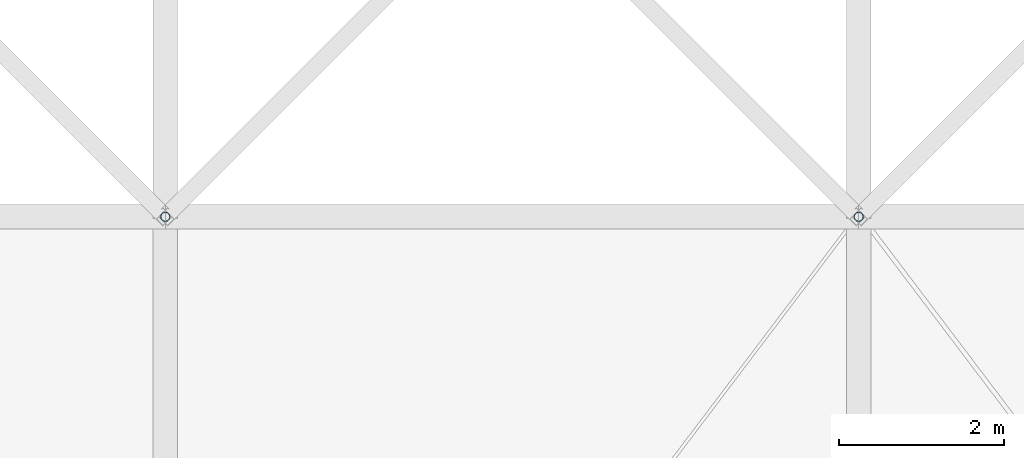
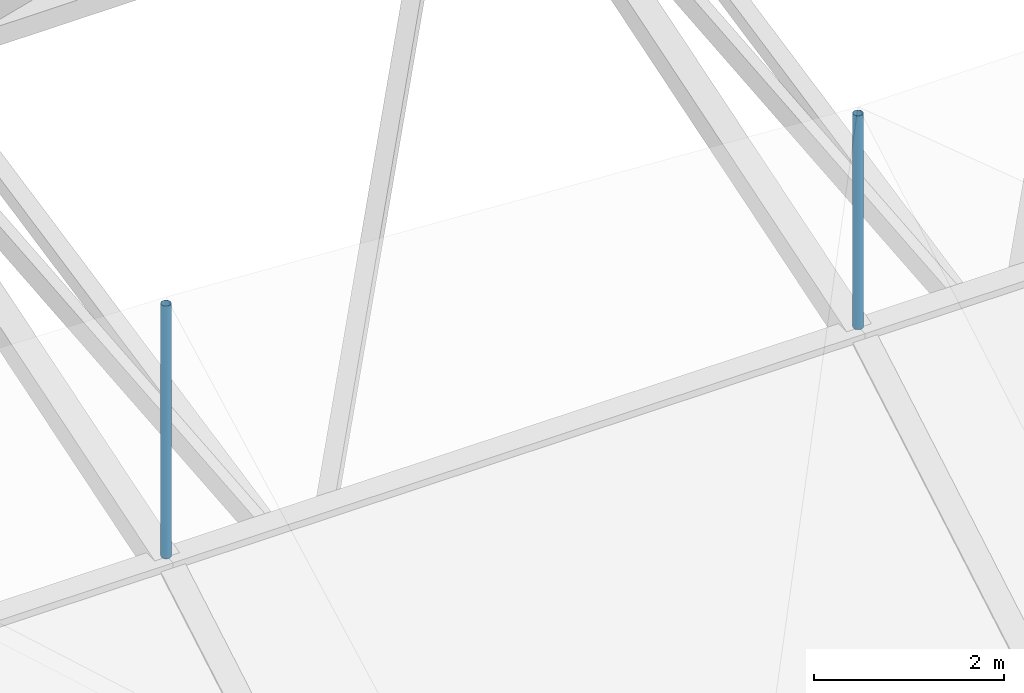
# One storey, part 44 of 111: 2 discrete accessories.
"""IFC4 building model written with IfcOpenShell, lengths in metres."""

import ifcopenshell
import ifcopenshell.guid

model = None  # the IFC model being written
_history = None  # IfcOwnerHistory: only IFC2X3 demands one
_inside = {}  # id of a spatial element -> (the spatial element, [elements in it])
_under = {}  # id of a project, library or spatial element -> (it, [spatial elements below it])
_declared = {}  # id of a project -> (the project, [libraries it declares])
_typed = {}  # id of a type object -> (the type object, [elements of that type])
_made_of = {}  # id of a material, layer set ... -> (it, [elements and type objects made of it])


def new_model(schema):
    """Start an empty IFC model of exactly this schema.

    Asked for "IFC4X3", IfcOpenShell would pick the latest addendum, in which some entities
    have other attributes; the version numbers below select the first issue.
    IFC2X3 requires an IfcOwnerHistory on every rooted entity: one is made here for all.
    """
    global model, _history
    if schema == "IFC4X3":
        model = ifcopenshell.file(schema_version=(4, 3, 0, 0))
    else:
        model = ifcopenshell.file(schema=schema)
    _inside.clear()
    _under.clear()
    _declared.clear()
    _typed.clear()
    _made_of.clear()
    _history = None
    if model.schema == "IFC2X3":
        org = make("IfcOrganization", Name="unknown")
        user = make(
            "IfcPersonAndOrganization",
            ThePerson=make("IfcPerson", FamilyName="unknown"),
            TheOrganization=org,
        )
        app = make(
            "IfcApplication",
            ApplicationDeveloper=org,
            Version="unknown",
            ApplicationFullName="unknown",
            ApplicationIdentifier="unknown",
        )
        _history = make(
            "IfcOwnerHistory",
            OwningUser=user,
            OwningApplication=app,
            ChangeAction="ADDED",
            CreationDate=0,
        )
    return model


def make(cls, **values):
    """One entity of the class cls with the attributes given. An attribute that is None is left unset."""
    return model.create_entity(
        cls, **{name: value for name, value in values.items() if value is not None}
    )


def rooted(cls, **values):
    """An entity with a GlobalId (a new one), such as an element, a storey or a relation."""
    return make(cls, GlobalId=ifcopenshell.guid.new(), OwnerHistory=_history, **values)


def si_unit(unit_type, name, prefix=None):
    """IfcSIUnit, for example si_unit("LENGTHUNIT", "METRE", prefix="MILLI")."""
    return make("IfcSIUnit", UnitType=unit_type, Prefix=prefix, Name=name)


def assignment(units):
    """IfcUnitAssignment: the units of a project."""
    return None if units is None else make("IfcUnitAssignment", Units=units)


def point(xyz):
    """IfcCartesianPoint."""
    return None if xyz is None else make("IfcCartesianPoint", Coordinates=xyz)


def direction(xyz):
    """IfcDirection."""
    return None if xyz is None else make("IfcDirection", DirectionRatios=xyz)


def frame(location, z_axis=None, x_axis=None):
    """IfcAxis2Placement3D, a coordinate frame: its origin and axes. An axis left out is left unset."""
    return make(
        "IfcAxis2Placement3D",
        Location=point(location),
        Axis=direction(z_axis),
        RefDirection=direction(x_axis),
    )


def frame_2d(location, x_axis=None):
    """IfcAxis2Placement2D, a coordinate frame in the plane: its origin and x axis."""
    return make(
        "IfcAxis2Placement2D", Location=point(location), RefDirection=direction(x_axis)
    )


def origin():
    """The frame at (0, 0, 0) with its axes left unset."""
    return frame((0.0, 0.0, 0.0))


def origin_2d():
    """The frame at (0, 0) in the plane with its x axis left unset."""
    return frame_2d((0.0, 0.0))


def place(relative_to, where):
    """IfcLocalPlacement: puts the frame where relative to a parent placement (None: the world)."""
    return make(
        "IfcLocalPlacement", PlacementRelTo=relative_to, RelativePlacement=where
    )


def context(
    kind, dimensions, precision=None, world=None, true_north=None, identifier=None
):
    """IfcGeometricRepresentationContext, for example the 3D "Model" context."""
    return make(
        "IfcGeometricRepresentationContext",
        ContextIdentifier=identifier,
        ContextType=kind,
        CoordinateSpaceDimension=dimensions,
        Precision=precision,
        WorldCoordinateSystem=world,
        TrueNorth=true_north,
    )


def subcontext(parent, identifier, kind, view, scale=None):
    """IfcGeometricRepresentationSubContext, for example "Body" below "Model"."""
    return make(
        "IfcGeometricRepresentationSubContext",
        ContextIdentifier=identifier,
        ContextType=kind,
        ParentContext=parent,
        TargetScale=scale,
        TargetView=view,
    )


def project(units=None, contexts=None):
    """IfcProject with its units and contexts."""
    return rooted(
        "IfcProject",
        Name="project",
        RepresentationContexts=contexts,
        UnitsInContext=assignment(units),
    )


def spatial(cls, under=None, at=None, **own):
    """A site, building, storey or space (cls), placed at a placement, below another one or the project."""
    s = rooted(cls, ObjectPlacement=at, **own)
    if under is not None:
        _under.setdefault(under.id(), (under, []))[1].append(s)
    return s


def profile(cls, at=None, kind="AREA", **sizes):
    """A parametric profile (cls). Its sizes go by their IFC names, for example OverallWidth=200.0."""
    return make(cls, ProfileType=kind, Position=at, **sizes)


def hollow_circle(**sizes):
    """IfcCircleHollowProfileDef."""
    return profile("IfcCircleHollowProfileDef", **sizes)


def extrude(swept, where, along, depth):
    """IfcExtrudedAreaSolid: the profile swept, set in the frame where, extruded along a direction by depth."""
    return make(
        "IfcExtrudedAreaSolid",
        SweptArea=swept,
        Position=where,
        ExtrudedDirection=direction(along),
        Depth=depth,
    )


def shape(context_of_items, identifier, shape_type, items):
    """IfcShapeRepresentation: the items that make up one representation, for example the "Body"."""
    return make(
        "IfcShapeRepresentation",
        ContextOfItems=context_of_items,
        RepresentationIdentifier=identifier,
        RepresentationType=shape_type,
        Items=items,
    )


def material(Name=None, Category=None):
    """IfcMaterial."""
    return make("IfcMaterial", Name=Name, Category=Category)


def material_profile(
    of_material, cross_section, Name=None, Category=None, Priority=None
):
    """IfcMaterialProfile: a cross section and its material."""
    return make(
        "IfcMaterialProfile",
        Name=Name,
        Material=of_material,
        Profile=cross_section,
        Priority=Priority,
        Category=Category,
    )


def profile_set(profiles, Name=None, composite=None):
    """IfcMaterialProfileSet."""
    return make(
        "IfcMaterialProfileSet",
        Name=Name,
        MaterialProfiles=profiles,
        CompositeProfile=composite,
    )


def made_of(thing, what):
    """Note that an element or type object is made of a material, layer set ...; save() writes the relation."""
    if what is not None:
        _made_of.setdefault(what.id(), (what, []))[1].append(thing)
    return thing


def type_object(cls, material=None, **own):
    """A type object (cls), such as IfcWallType, which elements share."""
    return made_of(rooted(cls, **own), material)


def element(
    cls,
    number,
    at=None,
    inside=None,
    cuts=None,
    type_object=None,
    material=None,
    context=None,
    identifier="Body",
    shape_type=None,
    held_by="IfcProductDefinitionShape",
    body=None,
    shapes=None,
    **own,
):
    """One element of the class cls, such as IfcWall. Its Tag is "e" and its number.

    at: its placement. inside: the storey or other place that contains it. cuts: it is an
    opening in that element (IfcRelVoidsElement). A single representation is given by context,
    identifier, shape_type and body (its items); several are given by shapes. held_by: the class
    of the entity that holds the representations. save() writes the other relations.
    """
    e = rooted(cls, Tag="e%d" % number, ObjectPlacement=at, **own)
    if body is not None:
        shapes = [shape(context, identifier, shape_type, body)]
    if shapes is not None:
        e.Representation = make(held_by, Representations=shapes)
    if inside is not None:
        _inside.setdefault(inside.id(), (inside, []))[1].append(e)
    if cuts is not None:
        rooted(
            "IfcRelVoidsElement", RelatingBuildingElement=cuts, RelatedOpeningElement=e
        )
    if type_object is not None:
        _typed.setdefault(type_object.id(), (type_object, []))[1].append(e)
    return made_of(e, material)


def aggregate(whole, parts):
    """IfcRelAggregates: a whole, such as a stair, and the parts it consists of."""
    return rooted("IfcRelAggregates", RelatingObject=whole, RelatedObjects=parts)


def save(model, path):
    """Write the relations noted so far, then the file.

    IfcRelAggregates (storeys below a building ...), IfcRelContainedInSpatialStructure (elements
    in a storey), IfcRelDefinesByType, IfcRelAssociatesMaterial and IfcRelDeclares: one each for
    every whole, place, type object, material and project.
    """
    for whole, parts in _under.values():
        aggregate(whole, parts)
    for where, things in _inside.values():
        rooted(
            "IfcRelContainedInSpatialStructure",
            RelatedElements=things,
            RelatingStructure=where,
        )
    for kind, things in _typed.values():
        rooted("IfcRelDefinesByType", RelatedObjects=things, RelatingType=kind)
    for what, things in _made_of.values():
        rooted("IfcRelAssociatesMaterial", RelatedObjects=things, RelatingMaterial=what)
    for by, libraries in _declared.values():
        rooted("IfcRelDeclares", RelatingContext=by, RelatedDefinitions=libraries)
    model.write(path)


model = new_model("IFC4")

# Units and contexts
model_context = context("Model", 3, precision=1e-05, world=origin(), true_north=direction((0.0, 1.0)))
body_context = subcontext(model_context, "Body", "Model", "MODEL_VIEW")
ifc_project = project(units=[si_unit("LENGTHUNIT", "METRE"), si_unit("AREAUNIT", "SQUARE_METRE"), si_unit("VOLUMEUNIT", "CUBIC_METRE"), si_unit("PLANEANGLEUNIT", "RADIAN"), si_unit("MASSUNIT", "GRAM", prefix="KILO")], contexts=[model_context])

# Site, building, storey
site_placement = place(None, origin())
site = spatial("IfcSite", under=ifc_project, at=site_placement, CompositionType="ELEMENT")
building_placement = place(site_placement, origin())
building = spatial("IfcBuilding", under=site, at=building_placement, Name="Rain Tree Exposition and Congress Centre", CompositionType="ELEMENT")
storey_placement = place(building_placement, frame((0.0, 0.0, 19.5)))
storey = spatial("IfcBuildingStorey", under=building, at=storey_placement, Name="RF", CompositionType="ELEMENT", Elevation=19.5)

# Discrete accessories
ifc_material = material(Name="Steel S355J2H", Category="steel")
ifc_material_profile = material_profile(ifc_material, hollow_circle(Radius=0.05712890625, WallThickness=0.00439453125, at=origin_2d()), Name="CHS 114x4.5")
ifc_profile_set = profile_set([ifc_material_profile], Name="Steel S355J2H")
discrete_accessory_type = type_object("IfcDiscreteAccessoryType", Name="Roof skin post CHS 114x4.5", PredefinedType="BRACKET", material=ifc_profile_set)
discrete_accessory_1_placement = place(storey_placement, frame((159.60009765625, 109.199951171875, 5.39404296875), z_axis=(0.0, 0.0, 1.0), x_axis=(1.0, 0.0, 0.0)))
element("IfcDiscreteAccessory", 1, at=discrete_accessory_1_placement, inside=storey, type_object=discrete_accessory_type, Name="Roof skin post B16", PredefinedType="BRACKET", context=body_context, shape_type="SweptSolid", body=[
    extrude(hollow_circle(Radius=0.05712890625, WallThickness=0.00439453125, at=origin_2d()), origin(), (0.0, 0.0, 1.0), 3.2421875),
])
discrete_accessory_2_placement = place(storey_placement, frame((168.0, 109.199951171875, 5.39404296875), z_axis=(0.0, 0.0, 1.0), x_axis=(1.0, 0.0, 0.0)))
element("IfcDiscreteAccessory", 2, at=discrete_accessory_2_placement, inside=storey, type_object=discrete_accessory_type, Name="Roof skin post B17", PredefinedType="BRACKET", context=body_context, shape_type="SweptSolid", body=[
    extrude(hollow_circle(Radius=0.05712890625, WallThickness=0.00439453125, at=origin_2d()), origin(), (0.0, 0.0, 1.0), 2.7421875),
])

save(model, "model.ifc")
